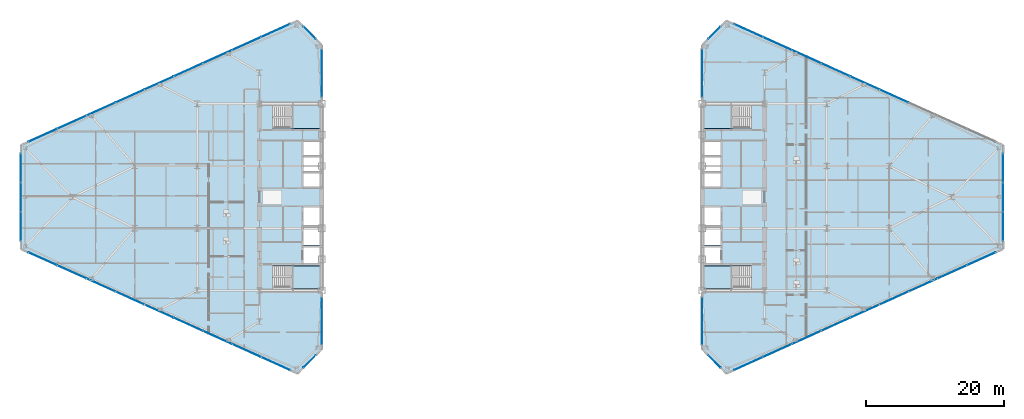
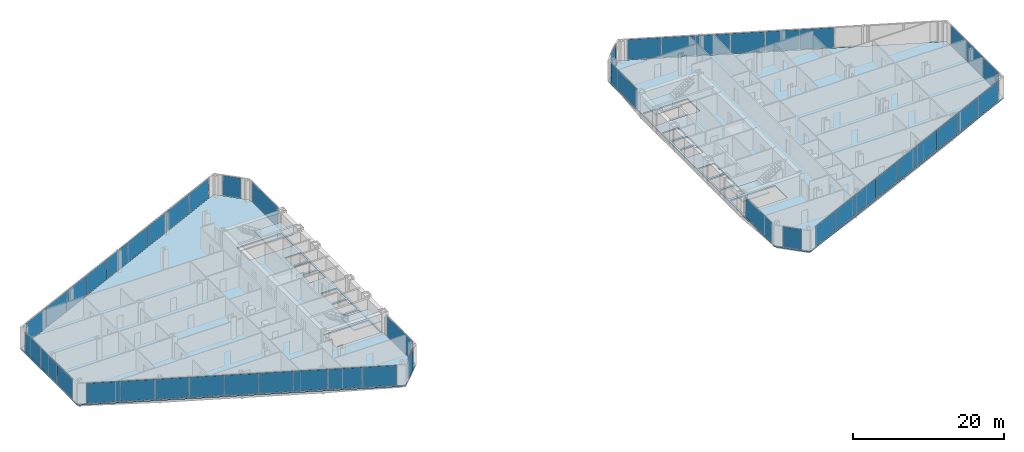
# One storey, part 17 of 27: 47 plates, 6 slabs, 18 elements without a shape of their own.
"""IFC4 building model written with IfcOpenShell, lengths in metres."""

from ifc_helpers import new_model, si_unit, direction, frame, origin, origin_2d, place, context, subcontext, project, spatial, polyline, rectangle, outline, extrude, source, transform, mapped, material, layer, layer_set, type_object, type_shapes, element, aggregate, save


model = new_model("IFC4")

# Units and contexts
model_context = context("Model", 3, precision=1e-05, world=origin(), true_north=direction((0.0, 1.0)))
body_context = subcontext(model_context, "Body", "Model", "MODEL_VIEW")
ifc_project = project(units=[si_unit("LENGTHUNIT", "METRE"), si_unit("AREAUNIT", "SQUARE_METRE"), si_unit("VOLUMEUNIT", "CUBIC_METRE"), si_unit("PLANEANGLEUNIT", "RADIAN"), si_unit("MASSUNIT", "GRAM", prefix="KILO")], contexts=[model_context])

# Site, building, storey
site_placement = place(None, origin())
site = spatial("IfcSite", under=ifc_project, at=site_placement, CompositionType="ELEMENT")
building_placement = place(site_placement, origin())
building = spatial("IfcBuilding", under=site, at=building_placement, Name="Seokmaru Belvedere", CompositionType="ELEMENT")
storey_placement = place(building_placement, frame((0.0, 0.0, 65.699951171875)))
storey = spatial("IfcBuildingStorey", under=building, at=storey_placement, Name="L17", CompositionType="ELEMENT", Elevation=65.699951171875)

# Stair, slab
ifc_material_1 = material(Name="Concrete C40 (40 MPa)", Category="concrete")
stair_type = type_object("IfcStairType", Name="Typical Tower Core Dog-Leg Stair 3600", PredefinedType="TWO_STRAIGHT_RUN_STAIR", material=ifc_material_1)
stair_1_placement = place(storey_placement, origin())
stair_1 = element("IfcStair", 1, at=stair_1_placement, inside=storey, type_object=stair_type, Name="L17 Special Escape Stair ST-W1", PredefinedType="TWO_STRAIGHT_RUN_STAIR")
ifc_layer_1 = layer(ifc_material_1, 0.199951171875)
ifc_layer_set_1 = layer_set([ifc_layer_1], Name="Concrete C40 (40 MPa)")
slab_type_1 = type_object("IfcSlabType", Name="Reinforced Concrete Stair Landing Slab 200", PredefinedType="LANDING", material=ifc_layer_set_1)
slab_1_placement = place(storey_placement, frame((0.0, 0.0, 1.60009765625)))
slab_1 = element("IfcSlab", 2, at=slab_1_placement, type_object=slab_type_1, Name="ST-W1 landing 1", PredefinedType="LANDING", context=body_context, shape_type="SweptSolid", body=[
    extrude(outline(polyline([(-31.8798828125, -13.239990234375), (-27.760009765625, -13.239990234375), (-27.760009765625, -9.949951171875), (-31.8798828125, -9.949951171875), (-31.8798828125, -13.239990234375)])), origin(), (0.0, 0.0, 1.0), 0.199951171875),
])
aggregate(stair_1, [slab_1])

stair_2_placement = place(storey_placement, origin())
stair_2 = element("IfcStair", 3, at=stair_2_placement, inside=storey, type_object=stair_type, Name="L17 Special Escape Stair ST-W2", PredefinedType="TWO_STRAIGHT_RUN_STAIR")
slab_2_placement = place(storey_placement, frame((0.0, 0.0, 1.60009765625)))
slab_2 = element("IfcSlab", 4, at=slab_2_placement, type_object=slab_type_1, Name="ST-W2 landing 1", PredefinedType="LANDING", context=body_context, shape_type="SweptSolid", body=[
    extrude(outline(polyline([(-31.8798828125, 9.949951171875), (-27.760009765625, 9.949951171875), (-27.760009765625, 13.239990234375), (-31.8798828125, 13.239990234375), (-31.8798828125, 9.949951171875)])), origin(), (0.0, 0.0, 1.0), 0.199951171875),
])
aggregate(stair_2, [slab_2])

stair_3_placement = place(storey_placement, origin())
stair_3 = element("IfcStair", 5, at=stair_3_placement, inside=storey, type_object=stair_type, Name="L17 Special Escape Stair ST-E1", PredefinedType="TWO_STRAIGHT_RUN_STAIR")
slab_3_placement = place(storey_placement, frame((0.0, 0.0, 1.60009765625)))
slab_3 = element("IfcSlab", 6, at=slab_3_placement, type_object=slab_type_1, Name="ST-E1 landing 1", PredefinedType="LANDING", context=body_context, shape_type="SweptSolid", body=[
    extrude(outline(polyline([(27.760009765625, -13.239990234375), (31.8798828125, -13.239990234375), (31.8798828125, -9.949951171875), (27.760009765625, -9.949951171875), (27.760009765625, -13.239990234375)])), origin(), (0.0, 0.0, 1.0), 0.199951171875),
])
aggregate(stair_3, [slab_3])

stair_4_placement = place(storey_placement, origin())
stair_4 = element("IfcStair", 7, at=stair_4_placement, inside=storey, type_object=stair_type, Name="L17 Special Escape Stair ST-E2", PredefinedType="TWO_STRAIGHT_RUN_STAIR")
slab_4_placement = place(storey_placement, frame((0.0, 0.0, 1.60009765625)))
slab_4 = element("IfcSlab", 8, at=slab_4_placement, type_object=slab_type_1, Name="ST-E2 landing 1", PredefinedType="LANDING", context=body_context, shape_type="SweptSolid", body=[
    extrude(outline(polyline([(27.760009765625, 9.949951171875), (31.8798828125, 9.949951171875), (31.8798828125, 13.239990234375), (27.760009765625, 13.239990234375), (27.760009765625, 9.949951171875)])), origin(), (0.0, 0.0, 1.0), 0.199951171875),
])
aggregate(stair_4, [slab_4])

# Slabs
ifc_layer_2 = layer(ifc_material_1, 0.219970703125)
ifc_layer_set_2 = layer_set([ifc_layer_2], Name="Concrete C40 (40 MPa)")
slab_type_2 = type_object("IfcSlabType", Name="Typical Tower Composite Floor Slab 220", PredefinedType="FLOOR", material=ifc_layer_set_2)
slab_5_placement = place(storey_placement, frame((0.0, 0.0, -0.219970703125)))
element("IfcSlab", 9, at=slab_5_placement, inside=storey, type_object=slab_type_2, Name="L17 West Leg Floor Slab", PredefinedType="FLOOR", context=body_context, shape_type="SweptSolid", body=[
    extrude(outline(polyline([(-27.5, -22.0), (-27.5, 22.0), (-31.0, 25.5), (-71.0, 7.5), (-71.0, -7.5), (-31.0, -25.5), (-27.5, -22.0)]), holes=[polyline([(-34.60009765625, -13.25), (-27.75, -13.25), (-27.75, -9.949951171875), (-34.60009765625, -9.949951171875), (-34.60009765625, -13.25)]), polyline([(-34.60009765625, 9.949951171875), (-27.75, 9.949951171875), (-27.75, 13.25), (-34.60009765625, 13.25), (-34.60009765625, 9.949951171875)]), polyline([(-30.14990234375, -9.550048828125), (-27.75, -9.550048828125), (-27.75, -7.25), (-30.14990234375, -7.25), (-30.14990234375, -9.550048828125)]), polyline([(-30.14990234375, -6.949951171875), (-27.75, -6.949951171875), (-27.75, -4.35009765625), (-30.14990234375, -4.35009765625), (-30.14990234375, -6.949951171875)]), polyline([(-30.14990234375, -4.050048828125), (-27.75, -4.050048828125), (-27.75, -1.449951171875), (-30.14990234375, -1.449951171875), (-30.14990234375, -4.050048828125)]), polyline([(-30.14990234375, 1.449951171875), (-27.75, 1.449951171875), (-27.75, 3.449951171875), (-30.14990234375, 3.449951171875), (-30.14990234375, 1.449951171875)]), polyline([(-30.14990234375, 3.75), (-27.75, 3.75), (-27.75, 5.75), (-30.14990234375, 5.75), (-30.14990234375, 3.75)]), polyline([(-30.14990234375, 6.050048828125), (-27.75, 6.050048828125), (-27.75, 8.050048828125), (-30.14990234375, 8.050048828125), (-30.14990234375, 6.050048828125)])]), origin(), (0.0, 0.0, 1.0), 0.219970703125),
])
slab_6_placement = place(storey_placement, frame((0.0, 0.0, -0.219970703125)))
element("IfcSlab", 10, at=slab_6_placement, inside=storey, type_object=slab_type_2, Name="L17 East Leg Floor Slab", PredefinedType="FLOOR", context=body_context, shape_type="SweptSolid", body=[
    extrude(outline(polyline([(31.0, -25.5), (71.0, -7.5), (71.0, 7.5), (31.0, 25.5), (27.5, 22.0), (27.5, -22.0), (31.0, -25.5)]), holes=[polyline([(27.75, -13.25), (34.60009765625, -13.25), (34.60009765625, -9.949951171875), (27.75, -9.949951171875), (27.75, -13.25)]), polyline([(27.75, 9.949951171875), (34.60009765625, 9.949951171875), (34.60009765625, 13.25), (27.75, 13.25), (27.75, 9.949951171875)]), polyline([(27.75, -9.550048828125), (30.14990234375, -9.550048828125), (30.14990234375, -7.25), (27.75, -7.25), (27.75, -9.550048828125)]), polyline([(27.75, -6.949951171875), (30.14990234375, -6.949951171875), (30.14990234375, -4.35009765625), (27.75, -4.35009765625), (27.75, -6.949951171875)]), polyline([(27.75, -4.050048828125), (30.14990234375, -4.050048828125), (30.14990234375, -1.449951171875), (27.75, -1.449951171875), (27.75, -4.050048828125)]), polyline([(27.75, 1.449951171875), (30.14990234375, 1.449951171875), (30.14990234375, 3.449951171875), (27.75, 3.449951171875), (27.75, 1.449951171875)]), polyline([(27.75, 3.75), (30.14990234375, 3.75), (30.14990234375, 5.75), (27.75, 5.75), (27.75, 3.75)]), polyline([(27.75, 6.050048828125), (30.14990234375, 6.050048828125), (30.14990234375, 8.050048828125), (27.75, 8.050048828125), (27.75, 6.050048828125)])]), origin(), (0.0, 0.0, 1.0), 0.219970703125),
])

# Curtain wall, plate
ifc_material_2 = material(Name="Bronze Triple Insulating Glass", Category="glass")
ifc_layer_3 = layer(ifc_material_2, 0.195068359375)
ifc_layer_set_3 = layer_set([ifc_layer_3], Name="Bronze Triple Insulating Glass")
curtain_wall_type = type_object("IfcCurtainWallType", Name="Lower-Mid Tapered Curtain Wall System CW-3", PredefinedType="NOTDEFINED", material=ifc_layer_set_3)
curtain_wall_1_placement = place(storey_placement, origin())
curtain_wall_1 = element("IfcCurtainWall", 11, at=curtain_wall_1_placement, inside=storey, type_object=curtain_wall_type, Name="L17 Curtain Wall WSP_1", PredefinedType="NOTDEFINED")
ifc_layer_4 = layer(ifc_material_2, 0.035888671875)
ifc_layer_set_4 = layer_set([ifc_layer_4], Name="Bronze Triple Insulating Glass")
plate_type = type_object("IfcPlateType", Name="Bronze Triple Vision Glazing Panel 36", PredefinedType="CURTAIN_PANEL", material=ifc_layer_set_4)
shared_shape_1 = source(origin(), body_context, "Body", "SweptSolid", [
    extrude(rectangle(XDim=6.909912109375, YDim=0.035888671875, at=origin_2d()), origin(), (0.0, 0.0, 1.0), 3.239990234375),
])
plate_1_placement = place(storey_placement, frame((-27.5, -17.905029296875, 0.06982421875), z_axis=(0.0, 0.0, 1.0), x_axis=(0.0, 1.0, 0.0)))
plate_1 = element("IfcPlate", 12, at=plate_1_placement, type_object=plate_type, Name="CW:L17:WSP_1 Glazing Panel 1-1", PredefinedType="CURTAIN_PANEL", context=body_context, shape_type="MappedRepresentation", body=[
    mapped(shared_shape_1, transform((0.0, 0.0, 0.0), scale=1.0)),
])
aggregate(curtain_wall_1, [plate_1])

curtain_wall_2_placement = place(storey_placement, origin())
curtain_wall_2 = element("IfcCurtainWall", 13, at=curtain_wall_2_placement, inside=storey, type_object=curtain_wall_type, Name="L17 Curtain Wall WSP_2", PredefinedType="NOTDEFINED")
plate_2_placement = place(storey_placement, frame((-27.5, 17.905029296875, 0.06982421875), z_axis=(0.0, 0.0, 1.0), x_axis=(0.0, 1.0, 0.0)))
plate_2 = element("IfcPlate", 14, at=plate_2_placement, type_object=plate_type, Name="CW:L17:WSP_2 Glazing Panel 1-1", PredefinedType="CURTAIN_PANEL", context=body_context, shape_type="MappedRepresentation", body=[
    mapped(shared_shape_1, transform((0.0, 0.0, 0.0), scale=1.0)),
])
aggregate(curtain_wall_2, [plate_2])

curtain_wall_3_placement = place(storey_placement, origin())
curtain_wall_3 = element("IfcCurtainWall", 15, at=curtain_wall_3_placement, inside=storey, type_object=curtain_wall_type, Name="L17 Curtain Wall ESP_1", PredefinedType="NOTDEFINED")
plate_3_placement = place(storey_placement, frame((27.5, -17.905029296875, 0.06982421875), z_axis=(0.0, 0.0, 1.0), x_axis=(0.0, -1.0, 0.0)))
plate_3 = element("IfcPlate", 16, at=plate_3_placement, type_object=plate_type, Name="CW:L17:ESP_1 Glazing Panel 1-1", PredefinedType="CURTAIN_PANEL", context=body_context, shape_type="MappedRepresentation", body=[
    mapped(shared_shape_1, transform((0.0, 0.0, 0.0), scale=1.0)),
])
aggregate(curtain_wall_3, [plate_3])

curtain_wall_4_placement = place(storey_placement, origin())
curtain_wall_4 = element("IfcCurtainWall", 17, at=curtain_wall_4_placement, inside=storey, type_object=curtain_wall_type, Name="L17 Curtain Wall ESP_2", PredefinedType="NOTDEFINED")
plate_4_placement = place(storey_placement, frame((27.5, 17.905029296875, 0.06982421875), z_axis=(0.0, 0.0, 1.0), x_axis=(0.0, -1.0, 0.0)))
plate_4 = element("IfcPlate", 18, at=plate_4_placement, type_object=plate_type, Name="CW:L17:ESP_2 Glazing Panel 1-1", PredefinedType="CURTAIN_PANEL", context=body_context, shape_type="MappedRepresentation", body=[
    mapped(shared_shape_1, transform((0.0, 0.0, 0.0), scale=1.0)),
])
aggregate(curtain_wall_4, [plate_4])

curtain_wall_5_placement = place(storey_placement, origin())
curtain_wall_5 = element("IfcCurtainWall", 19, at=curtain_wall_5_placement, inside=storey, type_object=curtain_wall_type, Name="L17 Curtain Wall WF2", PredefinedType="NOTDEFINED")
shared_shape_2 = source(origin(), body_context, "Body", "SweptSolid", [
    extrude(rectangle(XDim=2.509765625, YDim=0.035888671875, at=origin_2d()), origin(), (0.0, 0.0, 1.0), 3.239990234375),
])
plate_5_placement = place(storey_placement, frame((-29.25, 23.75, 0.06982421875), z_axis=(0.0, 0.0, 1.0), x_axis=(-0.707106781187, 0.707106781187, 0.0)))
plate_5 = element("IfcPlate", 20, at=plate_5_placement, type_object=plate_type, Name="CW:L17:WF2 Glazing Panel 1-1", PredefinedType="CURTAIN_PANEL", context=body_context, shape_type="MappedRepresentation", body=[
    mapped(shared_shape_2, transform((0.0, 0.0, 0.0), scale=1.0)),
])
aggregate(curtain_wall_5, [plate_5])

curtain_wall_6_placement = place(storey_placement, origin())
curtain_wall_6 = element("IfcCurtainWall", 21, at=curtain_wall_6_placement, inside=storey, type_object=curtain_wall_type, Name="L17 Curtain Wall WF6", PredefinedType="NOTDEFINED")
plate_6_placement = place(storey_placement, frame((-29.25, -23.75, 0.06982421875), z_axis=(0.0, 0.0, 1.0), x_axis=(0.707106781187, 0.707106781187, 0.0)))
plate_6 = element("IfcPlate", 22, at=plate_6_placement, type_object=plate_type, Name="CW:L17:WF6 Glazing Panel 1-1", PredefinedType="CURTAIN_PANEL", context=body_context, shape_type="MappedRepresentation", body=[
    mapped(shared_shape_2, transform((0.0, 0.0, 0.0), scale=1.0)),
])
aggregate(curtain_wall_6, [plate_6])

curtain_wall_7_placement = place(storey_placement, origin())
curtain_wall_7 = element("IfcCurtainWall", 23, at=curtain_wall_7_placement, inside=storey, type_object=curtain_wall_type, Name="L17 Curtain Wall EF4", PredefinedType="NOTDEFINED")
plate_7_placement = place(storey_placement, frame((29.25, 23.75, 0.06982421875), z_axis=(0.0, 0.0, 1.0), x_axis=(-0.707106781187, -0.707106781187, 0.0)))
plate_7 = element("IfcPlate", 24, at=plate_7_placement, type_object=plate_type, Name="CW:L17:EF4 Glazing Panel 1-1", PredefinedType="CURTAIN_PANEL", context=body_context, shape_type="MappedRepresentation", body=[
    mapped(shared_shape_2, transform((0.0, 0.0, 0.0), scale=1.0)),
])
aggregate(curtain_wall_7, [plate_7])

curtain_wall_8_placement = place(storey_placement, origin())
curtain_wall_8 = element("IfcCurtainWall", 25, at=curtain_wall_8_placement, inside=storey, type_object=curtain_wall_type, Name="L17 Curtain Wall EF6", PredefinedType="NOTDEFINED")
plate_8_placement = place(storey_placement, frame((29.25, -23.75, 0.06982421875), z_axis=(0.0, 0.0, 1.0), x_axis=(0.707106781187, -0.707106781187, 0.0)))
plate_8 = element("IfcPlate", 26, at=plate_8_placement, type_object=plate_type, Name="CW:L17:EF6 Glazing Panel 1-1", PredefinedType="CURTAIN_PANEL", context=body_context, shape_type="MappedRepresentation", body=[
    mapped(shared_shape_2, transform((0.0, 0.0, 0.0), scale=1.0)),
])
aggregate(curtain_wall_8, [plate_8])

# Curtain wall, plates
curtain_wall_9_placement = place(storey_placement, origin())
curtain_wall_9 = element("IfcCurtainWall", 27, at=curtain_wall_9_placement, inside=storey, type_object=curtain_wall_type, Name="L17 Curtain Wall WF3", PredefinedType="NOTDEFINED")
shared_shape_3 = source(origin(), body_context, "Body", "SweptSolid", [
    extrude(rectangle(XDim=4.51318359375, YDim=0.035888671875, at=origin_2d()), origin(), (0.0, 0.0, 1.0), 3.239990234375),
])
plate_9_placement = place(storey_placement, frame((-34.17041015625, 24.073486328125, 0.06982421875), z_axis=(0.0, 0.0, 1.0), x_axis=(-0.91192111353, -0.41036554765, 0.0)))
plate_9 = element("IfcPlate", 28, at=plate_9_placement, type_object=plate_type, Name="CW:L17:WF3 Glazing Panel 1-1", PredefinedType="CURTAIN_PANEL", context=body_context, shape_type="MappedRepresentation", body=[
    mapped(shared_shape_3, transform((0.0, 0.0, 0.0), scale=1.0)),
])
plate_10_placement = place(storey_placement, frame((-67.82958984375, 8.926513671875, 0.06982421875), z_axis=(0.0, 0.0, 1.0), x_axis=(-0.91192111353, -0.41036554765, 0.0)))
plate_10 = element("IfcPlate", 29, at=plate_10_placement, type_object=plate_type, Name="CW:L17:WF3 Glazing Panel 9-1", PredefinedType="CURTAIN_PANEL", context=body_context, shape_type="MappedRepresentation", body=[
    mapped(shared_shape_3, transform((0.0, 0.0, 0.0), scale=1.0)),
])

curtain_wall_10_placement = place(storey_placement, origin())
curtain_wall_10 = element("IfcCurtainWall", 30, at=curtain_wall_10_placement, inside=storey, type_object=curtain_wall_type, Name="L17 Curtain Wall WF5", PredefinedType="NOTDEFINED")
plate_11_placement = place(storey_placement, frame((-67.82958984375, -8.926513671875, 0.06982421875), z_axis=(0.0, 0.0, 1.0), x_axis=(0.91192111353, -0.41036554765, 0.0)))
plate_11 = element("IfcPlate", 31, at=plate_11_placement, type_object=plate_type, Name="CW:L17:WF5 Glazing Panel 1-1", PredefinedType="CURTAIN_PANEL", context=body_context, shape_type="MappedRepresentation", body=[
    mapped(shared_shape_3, transform((0.0, 0.0, 0.0), scale=1.0)),
])
plate_12_placement = place(storey_placement, frame((-34.17041015625, -24.073486328125, 0.06982421875), z_axis=(0.0, 0.0, 1.0), x_axis=(0.91192111353, -0.41036554765, 0.0)))
plate_12 = element("IfcPlate", 32, at=plate_12_placement, type_object=plate_type, Name="CW:L17:WF5 Glazing Panel 9-1", PredefinedType="CURTAIN_PANEL", context=body_context, shape_type="MappedRepresentation", body=[
    mapped(shared_shape_3, transform((0.0, 0.0, 0.0), scale=1.0)),
])

curtain_wall_11_placement = place(storey_placement, origin())
curtain_wall_11 = element("IfcCurtainWall", 33, at=curtain_wall_11_placement, inside=storey, type_object=curtain_wall_type, Name="L17 Curtain Wall EF1", PredefinedType="NOTDEFINED")
plate_13_placement = place(storey_placement, frame((34.17041015625, -24.073486328125, 0.06982421875), z_axis=(0.0, 0.0, 1.0), x_axis=(0.91192111353, 0.41036554765, 0.0)))
plate_13 = element("IfcPlate", 34, at=plate_13_placement, type_object=plate_type, Name="CW:L17:EF1 Glazing Panel 1-1", PredefinedType="CURTAIN_PANEL", context=body_context, shape_type="MappedRepresentation", body=[
    mapped(shared_shape_3, transform((0.0, 0.0, 0.0), scale=1.0)),
])
plate_14_placement = place(storey_placement, frame((67.82958984375, -8.926513671875, 0.06982421875), z_axis=(0.0, 0.0, 1.0), x_axis=(0.91192111353, 0.41036554765, 0.0)))
plate_14 = element("IfcPlate", 35, at=plate_14_placement, type_object=plate_type, Name="CW:L17:EF1 Glazing Panel 9-1", PredefinedType="CURTAIN_PANEL", context=body_context, shape_type="MappedRepresentation", body=[
    mapped(shared_shape_3, transform((0.0, 0.0, 0.0), scale=1.0)),
])

# Curtain wall, plate
curtain_wall_12_placement = place(storey_placement, origin())
curtain_wall_12 = element("IfcCurtainWall", 36, at=curtain_wall_12_placement, inside=storey, type_object=curtain_wall_type, Name="L17 Curtain Wall EF3", PredefinedType="NOTDEFINED")
plate_15_placement = place(storey_placement, frame((34.17041015625, 24.073486328125, 0.06982421875), z_axis=(0.0, 0.0, 1.0), x_axis=(-0.91192111353, 0.41036554765, 0.0)))
plate_15 = element("IfcPlate", 37, at=plate_15_placement, type_object=plate_type, Name="CW:L17:EF3 Glazing Panel 9-1", PredefinedType="CURTAIN_PANEL", context=body_context, shape_type="MappedRepresentation", body=[
    mapped(shared_shape_3, transform((0.0, 0.0, 0.0), scale=1.0)),
])

# Plate
shared_shape_4 = source(origin(), body_context, "Body", "SweptSolid", [
    extrude(rectangle(XDim=4.548095703125, YDim=0.035888671875, at=origin_2d()), origin(), (0.0, 0.0, 1.0), 3.239990234375),
])
plate_16_placement = place(storey_placement, frame((-38.36572265625, 22.185302734375, 0.06982421875), z_axis=(0.0, 0.0, 1.0), x_axis=(-0.91192111353, -0.41036554765, 0.0)))
plate_16 = element("IfcPlate", 38, at=plate_16_placement, type_object=plate_type, Name="CW:L17:WF3 Glazing Panel 2-1", PredefinedType="CURTAIN_PANEL", context=body_context, shape_type="MappedRepresentation", body=[
    mapped(shared_shape_4, transform((0.0, 0.0, 0.0), scale=1.0)),
])

plate_17_placement = place(storey_placement, frame((-42.5771484375, 20.290283203125, 0.06982421875), z_axis=(0.0, 0.0, 1.0), x_axis=(-0.91192111353, -0.41036554765, 0.0)))
plate_17 = element("IfcPlate", 39, at=plate_17_placement, type_object=plate_type, Name="CW:L17:WF3 Glazing Panel 3-1", PredefinedType="CURTAIN_PANEL", context=body_context, shape_type="MappedRepresentation", body=[
    mapped(shared_shape_4, transform((0.0, 0.0, 0.0), scale=1.0)),
])

plate_18_placement = place(storey_placement, frame((-46.78857421875, 18.39501953125, 0.06982421875), z_axis=(0.0, 0.0, 1.0), x_axis=(-0.91192111353, -0.41036554765, 0.0)))
plate_18 = element("IfcPlate", 40, at=plate_18_placement, type_object=plate_type, Name="CW:L17:WF3 Glazing Panel 4-1", PredefinedType="CURTAIN_PANEL", context=body_context, shape_type="MappedRepresentation", body=[
    mapped(shared_shape_4, transform((0.0, 0.0, 0.0), scale=1.0)),
])

plate_19_placement = place(storey_placement, frame((-51.0, 16.5, 0.06982421875), z_axis=(0.0, 0.0, 1.0), x_axis=(-0.91192111353, -0.41036554765, 0.0)))
plate_19 = element("IfcPlate", 41, at=plate_19_placement, type_object=plate_type, Name="CW:L17:WF3 Glazing Panel 5-1", PredefinedType="CURTAIN_PANEL", context=body_context, shape_type="MappedRepresentation", body=[
    mapped(shared_shape_4, transform((0.0, 0.0, 0.0), scale=1.0)),
])

plate_20_placement = place(storey_placement, frame((-55.21142578125, 14.60498046875, 0.06982421875), z_axis=(0.0, 0.0, 1.0), x_axis=(-0.91192111353, -0.41036554765, 0.0)))
plate_20 = element("IfcPlate", 42, at=plate_20_placement, type_object=plate_type, Name="CW:L17:WF3 Glazing Panel 6-1", PredefinedType="CURTAIN_PANEL", context=body_context, shape_type="MappedRepresentation", body=[
    mapped(shared_shape_4, transform((0.0, 0.0, 0.0), scale=1.0)),
])

plate_21_placement = place(storey_placement, frame((-59.4228515625, 12.709716796875, 0.06982421875), z_axis=(0.0, 0.0, 1.0), x_axis=(-0.91192111353, -0.41036554765, 0.0)))
plate_21 = element("IfcPlate", 43, at=plate_21_placement, type_object=plate_type, Name="CW:L17:WF3 Glazing Panel 7-1", PredefinedType="CURTAIN_PANEL", context=body_context, shape_type="MappedRepresentation", body=[
    mapped(shared_shape_4, transform((0.0, 0.0, 0.0), scale=1.0)),
])

plate_22_placement = place(storey_placement, frame((-63.63427734375, 10.814697265625, 0.06982421875), z_axis=(0.0, 0.0, 1.0), x_axis=(-0.91192111353, -0.41036554765, 0.0)))
plate_22 = element("IfcPlate", 44, at=plate_22_placement, type_object=plate_type, Name="CW:L17:WF3 Glazing Panel 8-1", PredefinedType="CURTAIN_PANEL", context=body_context, shape_type="MappedRepresentation", body=[
    mapped(shared_shape_4, transform((0.0, 0.0, 0.0), scale=1.0)),
])

aggregate(curtain_wall_9, [plate_9, plate_16, plate_17, plate_18, plate_19, plate_20, plate_21, plate_22, plate_10])

plate_23_placement = place(storey_placement, frame((-63.63427734375, -10.814697265625, 0.06982421875), z_axis=(0.0, 0.0, 1.0), x_axis=(0.91192111353, -0.41036554765, 0.0)))
plate_23 = element("IfcPlate", 45, at=plate_23_placement, type_object=plate_type, Name="CW:L17:WF5 Glazing Panel 2-1", PredefinedType="CURTAIN_PANEL", context=body_context, shape_type="MappedRepresentation", body=[
    mapped(shared_shape_4, transform((0.0, 0.0, 0.0), scale=1.0)),
])

plate_24_placement = place(storey_placement, frame((-59.4228515625, -12.709716796875, 0.06982421875), z_axis=(0.0, 0.0, 1.0), x_axis=(0.91192111353, -0.41036554765, 0.0)))
plate_24 = element("IfcPlate", 46, at=plate_24_placement, type_object=plate_type, Name="CW:L17:WF5 Glazing Panel 3-1", PredefinedType="CURTAIN_PANEL", context=body_context, shape_type="MappedRepresentation", body=[
    mapped(shared_shape_4, transform((0.0, 0.0, 0.0), scale=1.0)),
])

plate_25_placement = place(storey_placement, frame((-55.21142578125, -14.60498046875, 0.06982421875), z_axis=(0.0, 0.0, 1.0), x_axis=(0.91192111353, -0.41036554765, 0.0)))
plate_25 = element("IfcPlate", 47, at=plate_25_placement, type_object=plate_type, Name="CW:L17:WF5 Glazing Panel 4-1", PredefinedType="CURTAIN_PANEL", context=body_context, shape_type="MappedRepresentation", body=[
    mapped(shared_shape_4, transform((0.0, 0.0, 0.0), scale=1.0)),
])

plate_26_placement = place(storey_placement, frame((-51.0, -16.5, 0.06982421875), z_axis=(0.0, 0.0, 1.0), x_axis=(0.91192111353, -0.41036554765, 0.0)))
plate_26 = element("IfcPlate", 48, at=plate_26_placement, type_object=plate_type, Name="CW:L17:WF5 Glazing Panel 5-1", PredefinedType="CURTAIN_PANEL", context=body_context, shape_type="MappedRepresentation", body=[
    mapped(shared_shape_4, transform((0.0, 0.0, 0.0), scale=1.0)),
])

plate_27_placement = place(storey_placement, frame((-46.78857421875, -18.39501953125, 0.06982421875), z_axis=(0.0, 0.0, 1.0), x_axis=(0.91192111353, -0.41036554765, 0.0)))
plate_27 = element("IfcPlate", 49, at=plate_27_placement, type_object=plate_type, Name="CW:L17:WF5 Glazing Panel 6-1", PredefinedType="CURTAIN_PANEL", context=body_context, shape_type="MappedRepresentation", body=[
    mapped(shared_shape_4, transform((0.0, 0.0, 0.0), scale=1.0)),
])

plate_28_placement = place(storey_placement, frame((-42.5771484375, -20.290283203125, 0.06982421875), z_axis=(0.0, 0.0, 1.0), x_axis=(0.91192111353, -0.41036554765, 0.0)))
plate_28 = element("IfcPlate", 50, at=plate_28_placement, type_object=plate_type, Name="CW:L17:WF5 Glazing Panel 7-1", PredefinedType="CURTAIN_PANEL", context=body_context, shape_type="MappedRepresentation", body=[
    mapped(shared_shape_4, transform((0.0, 0.0, 0.0), scale=1.0)),
])

plate_29_placement = place(storey_placement, frame((-38.36572265625, -22.185302734375, 0.06982421875), z_axis=(0.0, 0.0, 1.0), x_axis=(0.91192111353, -0.41036554765, 0.0)))
plate_29 = element("IfcPlate", 51, at=plate_29_placement, type_object=plate_type, Name="CW:L17:WF5 Glazing Panel 8-1", PredefinedType="CURTAIN_PANEL", context=body_context, shape_type="MappedRepresentation", body=[
    mapped(shared_shape_4, transform((0.0, 0.0, 0.0), scale=1.0)),
])

aggregate(curtain_wall_10, [plate_11, plate_23, plate_24, plate_25, plate_26, plate_27, plate_28, plate_29, plate_12])

plate_30_placement = place(storey_placement, frame((38.36572265625, -22.185302734375, 0.06982421875), z_axis=(0.0, 0.0, 1.0), x_axis=(0.91192111353, 0.41036554765, 0.0)))
plate_30 = element("IfcPlate", 52, at=plate_30_placement, type_object=plate_type, Name="CW:L17:EF1 Glazing Panel 2-1", PredefinedType="CURTAIN_PANEL", context=body_context, shape_type="MappedRepresentation", body=[
    mapped(shared_shape_4, transform((0.0, 0.0, 0.0), scale=1.0)),
])

plate_31_placement = place(storey_placement, frame((42.5771484375, -20.290283203125, 0.06982421875), z_axis=(0.0, 0.0, 1.0), x_axis=(0.91192111353, 0.41036554765, 0.0)))
plate_31 = element("IfcPlate", 53, at=plate_31_placement, type_object=plate_type, Name="CW:L17:EF1 Glazing Panel 3-1", PredefinedType="CURTAIN_PANEL", context=body_context, shape_type="MappedRepresentation", body=[
    mapped(shared_shape_4, transform((0.0, 0.0, 0.0), scale=1.0)),
])

plate_32_placement = place(storey_placement, frame((46.78857421875, -18.39501953125, 0.06982421875), z_axis=(0.0, 0.0, 1.0), x_axis=(0.91192111353, 0.41036554765, 0.0)))
plate_32 = element("IfcPlate", 54, at=plate_32_placement, type_object=plate_type, Name="CW:L17:EF1 Glazing Panel 4-1", PredefinedType="CURTAIN_PANEL", context=body_context, shape_type="MappedRepresentation", body=[
    mapped(shared_shape_4, transform((0.0, 0.0, 0.0), scale=1.0)),
])

plate_33_placement = place(storey_placement, frame((51.0, -16.5, 0.06982421875), z_axis=(0.0, 0.0, 1.0), x_axis=(0.91192111353, 0.41036554765, 0.0)))
plate_33 = element("IfcPlate", 55, at=plate_33_placement, type_object=plate_type, Name="CW:L17:EF1 Glazing Panel 5-1", PredefinedType="CURTAIN_PANEL", context=body_context, shape_type="MappedRepresentation", body=[
    mapped(shared_shape_4, transform((0.0, 0.0, 0.0), scale=1.0)),
])

plate_34_placement = place(storey_placement, frame((55.21142578125, -14.60498046875, 0.06982421875), z_axis=(0.0, 0.0, 1.0), x_axis=(0.91192111353, 0.41036554765, 0.0)))
plate_34 = element("IfcPlate", 56, at=plate_34_placement, type_object=plate_type, Name="CW:L17:EF1 Glazing Panel 6-1", PredefinedType="CURTAIN_PANEL", context=body_context, shape_type="MappedRepresentation", body=[
    mapped(shared_shape_4, transform((0.0, 0.0, 0.0), scale=1.0)),
])

plate_35_placement = place(storey_placement, frame((59.4228515625, -12.709716796875, 0.06982421875), z_axis=(0.0, 0.0, 1.0), x_axis=(0.91192111353, 0.41036554765, 0.0)))
plate_35 = element("IfcPlate", 57, at=plate_35_placement, type_object=plate_type, Name="CW:L17:EF1 Glazing Panel 7-1", PredefinedType="CURTAIN_PANEL", context=body_context, shape_type="MappedRepresentation", body=[
    mapped(shared_shape_4, transform((0.0, 0.0, 0.0), scale=1.0)),
])

plate_36_placement = place(storey_placement, frame((63.63427734375, -10.814697265625, 0.06982421875), z_axis=(0.0, 0.0, 1.0), x_axis=(0.91192111353, 0.41036554765, 0.0)))
plate_36 = element("IfcPlate", 58, at=plate_36_placement, type_object=plate_type, Name="CW:L17:EF1 Glazing Panel 8-1", PredefinedType="CURTAIN_PANEL", context=body_context, shape_type="MappedRepresentation", body=[
    mapped(shared_shape_4, transform((0.0, 0.0, 0.0), scale=1.0)),
])

aggregate(curtain_wall_11, [plate_13, plate_30, plate_31, plate_32, plate_33, plate_34, plate_35, plate_36, plate_14])

plate_37_placement = place(storey_placement, frame((55.21142578125, 14.60498046875, 0.06982421875), z_axis=(0.0, 0.0, 1.0), x_axis=(-0.91192111353, 0.41036554765, 0.0)))
plate_37 = element("IfcPlate", 59, at=plate_37_placement, type_object=plate_type, Name="CW:L17:EF3 Glazing Panel 4-1", PredefinedType="CURTAIN_PANEL", context=body_context, shape_type="MappedRepresentation", body=[
    mapped(shared_shape_4, transform((0.0, 0.0, 0.0), scale=1.0)),
])

plate_38_placement = place(storey_placement, frame((51.0, 16.5, 0.06982421875), z_axis=(0.0, 0.0, 1.0), x_axis=(-0.91192111353, 0.41036554765, 0.0)))
plate_38 = element("IfcPlate", 60, at=plate_38_placement, type_object=plate_type, Name="CW:L17:EF3 Glazing Panel 5-1", PredefinedType="CURTAIN_PANEL", context=body_context, shape_type="MappedRepresentation", body=[
    mapped(shared_shape_4, transform((0.0, 0.0, 0.0), scale=1.0)),
])

plate_39_placement = place(storey_placement, frame((46.78857421875, 18.39501953125, 0.06982421875), z_axis=(0.0, 0.0, 1.0), x_axis=(-0.91192111353, 0.41036554765, 0.0)))
plate_39 = element("IfcPlate", 61, at=plate_39_placement, type_object=plate_type, Name="CW:L17:EF3 Glazing Panel 6-1", PredefinedType="CURTAIN_PANEL", context=body_context, shape_type="MappedRepresentation", body=[
    mapped(shared_shape_4, transform((0.0, 0.0, 0.0), scale=1.0)),
])

plate_40_placement = place(storey_placement, frame((42.5771484375, 20.290283203125, 0.06982421875), z_axis=(0.0, 0.0, 1.0), x_axis=(-0.91192111353, 0.41036554765, 0.0)))
plate_40 = element("IfcPlate", 62, at=plate_40_placement, type_object=plate_type, Name="CW:L17:EF3 Glazing Panel 7-1", PredefinedType="CURTAIN_PANEL", context=body_context, shape_type="MappedRepresentation", body=[
    mapped(shared_shape_4, transform((0.0, 0.0, 0.0), scale=1.0)),
])

plate_41_placement = place(storey_placement, frame((38.36572265625, 22.185302734375, 0.06982421875), z_axis=(0.0, 0.0, 1.0), x_axis=(-0.91192111353, 0.41036554765, 0.0)))
plate_41 = element("IfcPlate", 63, at=plate_41_placement, type_object=plate_type, Name="CW:L17:EF3 Glazing Panel 8-1", PredefinedType="CURTAIN_PANEL", context=body_context, shape_type="MappedRepresentation", body=[
    mapped(shared_shape_4, transform((0.0, 0.0, 0.0), scale=1.0)),
])

aggregate(curtain_wall_12, [plate_37, plate_38, plate_39, plate_40, plate_41, plate_15])

# Curtain wall, plates
curtain_wall_13_placement = place(storey_placement, origin())
curtain_wall_13 = element("IfcCurtainWall", 64, at=curtain_wall_13_placement, inside=storey, type_object=curtain_wall_type, Name="L17 Curtain Wall WF4", PredefinedType="NOTDEFINED")
shared_shape_5 = source(origin(), body_context, "Body", "SweptSolid", [
    extrude(rectangle(XDim=4.12841796875, YDim=0.035888671875, at=origin_2d()), origin(), (0.0, 0.0, 1.0), 3.239990234375),
])
plate_42_placement = place(storey_placement, frame((-71.0, 4.2158203125, 0.06982421875), z_axis=(0.0, 0.0, 1.0), x_axis=(0.0, -1.0, 0.0)))
plate_42 = element("IfcPlate", 65, at=plate_42_placement, type_object=plate_type, Name="CW:L17:WF4 Glazing Panel 1-1", PredefinedType="CURTAIN_PANEL", context=body_context, shape_type="MappedRepresentation", body=[
    mapped(shared_shape_5, transform((0.0, 0.0, 0.0), scale=1.0)),
])
plate_43_placement = place(storey_placement, frame((-71.0, -4.2158203125, 0.06982421875), z_axis=(0.0, 0.0, 1.0), x_axis=(0.0, -1.0, 0.0)))
plate_43 = element("IfcPlate", 66, at=plate_43_placement, type_object=plate_type, Name="CW:L17:WF4 Glazing Panel 3-1", PredefinedType="CURTAIN_PANEL", context=body_context, shape_type="MappedRepresentation", body=[
    mapped(shared_shape_5, transform((0.0, 0.0, 0.0), scale=1.0)),
])

curtain_wall_14_placement = place(storey_placement, origin())
curtain_wall_14 = element("IfcCurtainWall", 67, at=curtain_wall_14_placement, inside=storey, type_object=curtain_wall_type, Name="L17 Curtain Wall EF2", PredefinedType="NOTDEFINED")
plate_44_placement = place(storey_placement, frame((71.0, -4.2158203125, 0.06982421875), z_axis=(0.0, 0.0, 1.0), x_axis=(0.0, 1.0, 0.0)))
plate_44 = element("IfcPlate", 68, at=plate_44_placement, type_object=plate_type, Name="CW:L17:EF2 Glazing Panel 1-1", PredefinedType="CURTAIN_PANEL", context=body_context, shape_type="MappedRepresentation", body=[
    mapped(shared_shape_5, transform((0.0, 0.0, 0.0), scale=1.0)),
])
plate_45_placement = place(storey_placement, frame((71.0, 4.2158203125, 0.06982421875), z_axis=(0.0, 0.0, 1.0), x_axis=(0.0, 1.0, 0.0)))
plate_45 = element("IfcPlate", 69, at=plate_45_placement, type_object=plate_type, Name="CW:L17:EF2 Glazing Panel 3-1", PredefinedType="CURTAIN_PANEL", context=body_context, shape_type="MappedRepresentation", body=[
    mapped(shared_shape_5, transform((0.0, 0.0, 0.0), scale=1.0)),
])

# Plate
shared_shape_6 = source(origin(), body_context, "Body", "SweptSolid", [
    extrude(rectangle(XDim=4.163330078125, YDim=0.035888671875, at=origin_2d()), origin(), (0.0, 0.0, 1.0), 3.239990234375),
])
type_shapes(plate_type, [shared_shape_1, shared_shape_2, shared_shape_3, shared_shape_4, shared_shape_5, shared_shape_6])
plate_46_placement = place(storey_placement, frame((-71.0, 0.0, 0.06982421875), z_axis=(0.0, 0.0, 1.0), x_axis=(0.0, -1.0, 0.0)))
plate_46 = element("IfcPlate", 70, at=plate_46_placement, type_object=plate_type, Name="CW:L17:WF4 Glazing Panel 2-1", PredefinedType="CURTAIN_PANEL", context=body_context, shape_type="MappedRepresentation", body=[
    mapped(shared_shape_6, transform((0.0, 0.0, 0.0), scale=1.0)),
])

aggregate(curtain_wall_13, [plate_42, plate_46, plate_43])

plate_47_placement = place(storey_placement, frame((71.0, 0.0, 0.06982421875), z_axis=(0.0, 0.0, 1.0), x_axis=(0.0, 1.0, 0.0)))
plate_47 = element("IfcPlate", 71, at=plate_47_placement, type_object=plate_type, Name="CW:L17:EF2 Glazing Panel 2-1", PredefinedType="CURTAIN_PANEL", context=body_context, shape_type="MappedRepresentation", body=[
    mapped(shared_shape_6, transform((0.0, 0.0, 0.0), scale=1.0)),
])

aggregate(curtain_wall_14, [plate_44, plate_47, plate_45])

save(model, "model.ifc")
